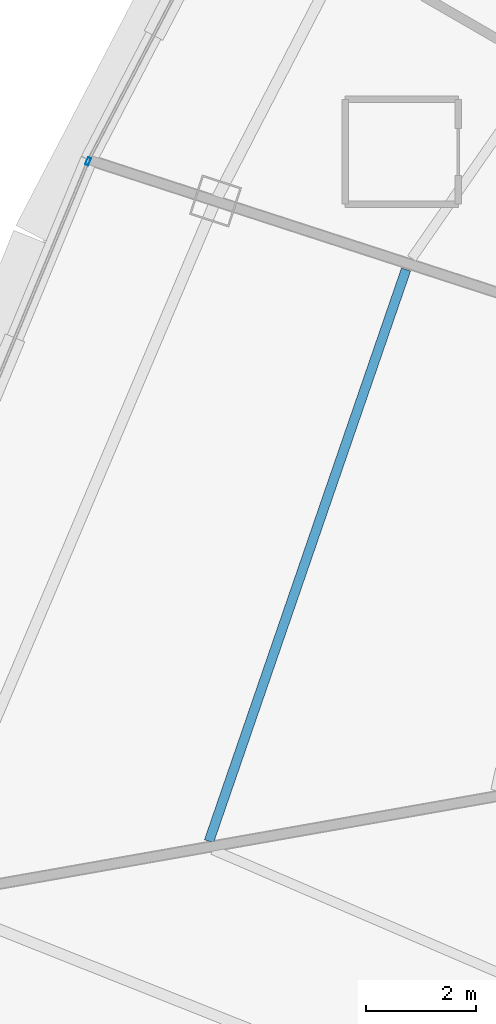
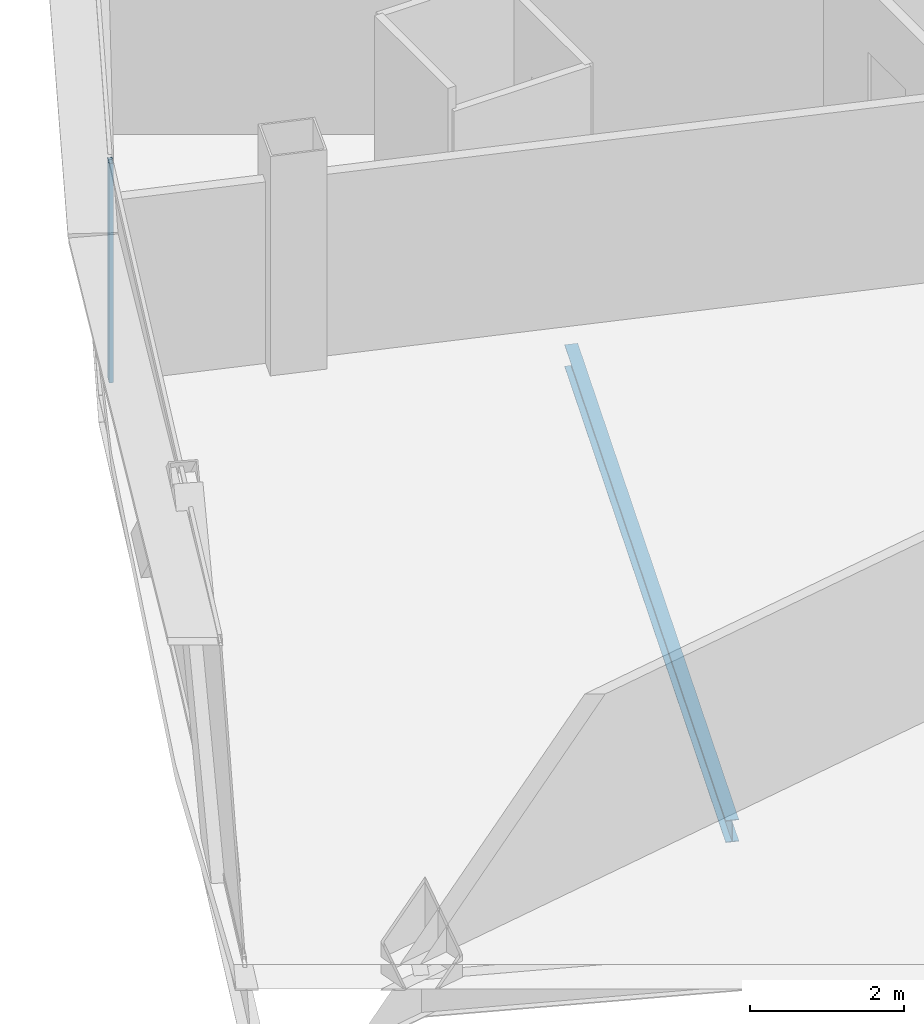
# One storey, part 8 of 40: 1 beam, 1 member, 1 element without a shape of its own.
"""IFC4 building model written with IfcOpenShell, lengths in metres."""

from ifc_helpers import new_model, si_unit, direction, frame, origin, origin_2d, place, context, subcontext, project, spatial, hollow_rectangle, i_section, extrude, source, transform, mapped, material, layer, layer_set, material_profile, profile_set, type_object, element, aggregate, save


model = new_model("IFC4")

# Units and contexts
model_context = context("Model", 3, precision=1e-05, world=origin(), true_north=direction((0.0, 1.0)))
body_context = subcontext(model_context, "Body", "Model", "MODEL_VIEW")
ifc_project = project(units=[si_unit("LENGTHUNIT", "METRE"), si_unit("AREAUNIT", "SQUARE_METRE"), si_unit("VOLUMEUNIT", "CUBIC_METRE"), si_unit("PLANEANGLEUNIT", "RADIAN"), si_unit("MASSUNIT", "GRAM", prefix="KILO"), si_unit("THERMODYNAMICTEMPERATUREUNIT", "KELVIN"), si_unit("POWERUNIT", "WATT")], contexts=[model_context])

# Site, building, storey
site_placement = place(None, origin())
site = spatial("IfcSite", under=ifc_project, at=site_placement, CompositionType="ELEMENT")
building_placement = place(site_placement, origin())
building = spatial("IfcBuilding", under=site, at=building_placement, Name="Yunzhuo Pagoda Commons", CompositionType="ELEMENT")
storey_placement = place(building_placement, frame((0.0, 0.0, 292.47998046875)))
storey = spatial("IfcBuildingStorey", under=building, at=storey_placement, Name="L73", CompositionType="ELEMENT", Elevation=292.47998046875)

# Beam
ifc_material_1 = material(Name="Structural steel Q355B", Category="steel")
ifc_material_profile_1 = material_profile(ifc_material_1, i_section(OverallWidth=0.175048828125, OverallDepth=0.35009765625, WebThickness=0.007080078125, FlangeThickness=0.010986328125, at=origin_2d()), Name="Structural steel Q355B")
ifc_profile_set_1 = profile_set([ifc_material_profile_1], Name="Structural steel Q355B")
beam_type = type_object("IfcBeamType", Name="B-JS2 Joist HN 350x175x7x11", PredefinedType="JOIST", material=ifc_profile_set_1)
shared_shape_1 = source(origin(), body_context, "Body", "SweptSolid", [
    extrude(i_section(OverallWidth=0.175048828125, OverallDepth=0.35009765625, WebThickness=0.007080078125, FlangeThickness=0.010986328125, at=origin_2d()), origin(), (0.0, 0.0, 1.0), 10.954345703125),
])
beam_placement = place(storey_placement, frame((28.14892578125, 40.029052734375, -0.43505859375), z_axis=(-0.325839571137, -0.945425075763, 0.0), x_axis=(0.945425075763, -0.325839571137, 0.0)))
element("IfcBeam", 1, at=beam_placement, inside=storey, type_object=beam_type, Name="L73 composite ring joist 2.11", PredefinedType="JOIST", context=body_context, shape_type="MappedRepresentation", body=[
    mapped(shared_shape_1, transform((0.0, 0.0, 0.0), scale=1.0)),
])

# Curtain wall, member
ifc_material_2 = material(Name="Anodized aluminium 6063-T6", Category="aluminium")
ifc_layer = layer(ifc_material_2, 0.139892578125)
ifc_layer_set = layer_set([ifc_layer], Name="Anodized aluminium 6063-T6")
curtain_wall_type = type_object("IfcCurtainWallType", Name="CW-HI High-Zone Ribbon Curtain Wall", PredefinedType="NOTDEFINED", material=ifc_layer_set)
curtain_wall_placement = place(storey_placement, origin())
curtain_wall = element("IfcCurtainWall", 2, at=curtain_wall_placement, inside=storey, type_object=curtain_wall_type, Name="L73 curtain wall CW-L73-F3B4", PredefinedType="NOTDEFINED")
ifc_material_profile_2 = material_profile(ifc_material_2, hollow_rectangle(XDim=0.06005859375, YDim=0.139892578125, WallThickness=0.00341796875, at=origin_2d()), Name="Anodized aluminium 6063-T6")
ifc_profile_set_2 = profile_set([ifc_material_profile_2], Name="Anodized aluminium 6063-T6")
member_type = type_object("IfcMemberType", Name="CW-HI-M Mullion RHS 140x60x3.5", PredefinedType="MULLION", material=ifc_profile_set_2)
shared_shape_2 = source(origin(), body_context, "Body", "SweptSolid", [
    extrude(hollow_rectangle(XDim=0.06005859375, YDim=0.139892578125, WallThickness=0.00341796875, at=origin_2d()), origin(), (0.0, 0.0, 1.0), 3.4697265625),
])
member_placement = place(storey_placement, frame((22.389404296875, 41.989990234375, 0.000244140625), z_axis=(0.0, 0.0, 1.0), x_axis=(0.923899046183, -0.382636318796, 0.0)))
member = element("IfcMember", 3, at=member_placement, type_object=member_type, Name="CW mullion 1", PredefinedType="MULLION", context=body_context, shape_type="MappedRepresentation", body=[
    mapped(shared_shape_2, transform((0.0, 0.0, 0.0), scale=1.0)),
])
aggregate(curtain_wall, [member])

save(model, "model.ifc")
